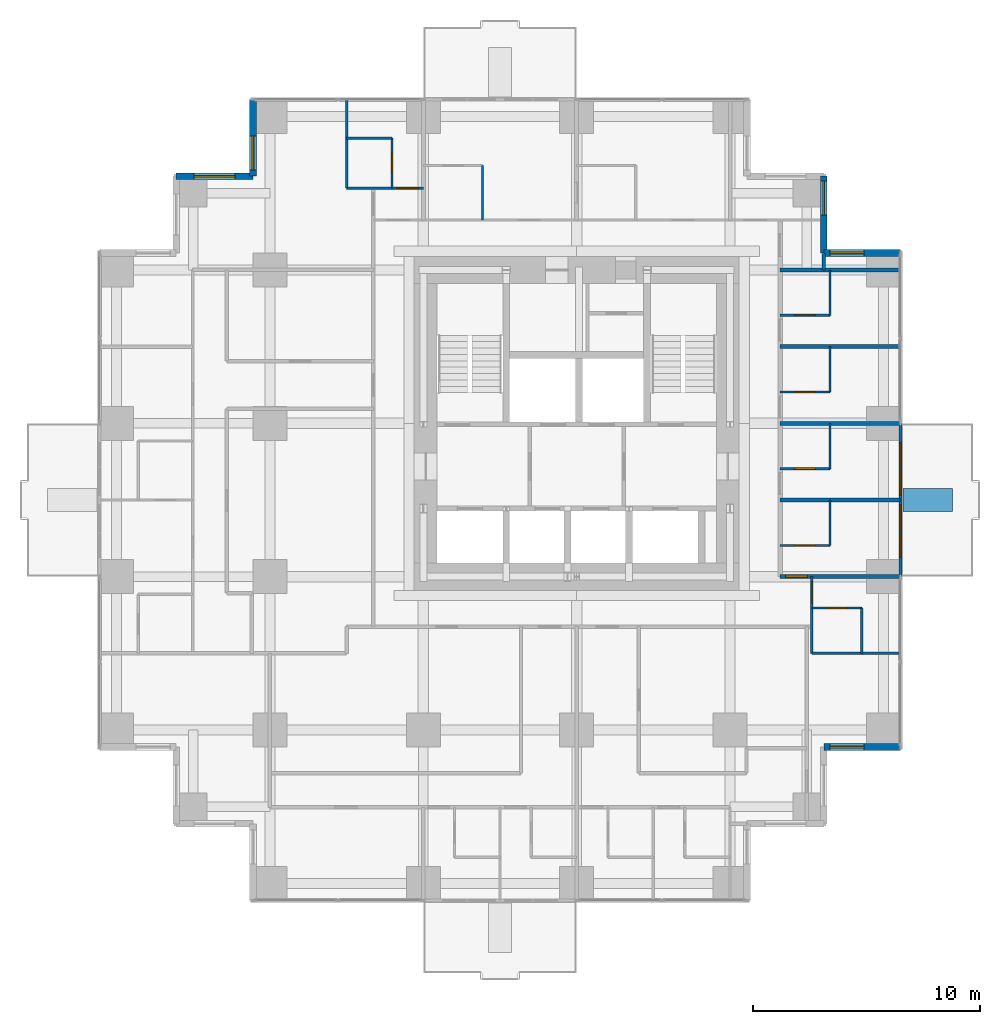
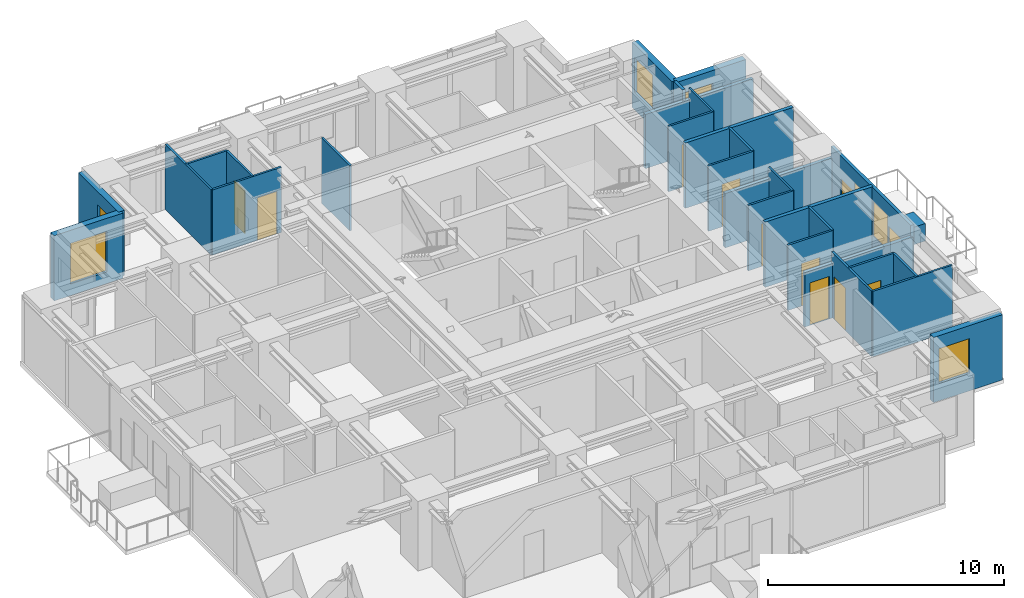
# One storey, part 8 of 10: 30 walls, 11 doors, 7 windows, 18 openings.
"""IFC4 building model written with IfcOpenShell, lengths in metres."""

import ifcopenshell
import ifcopenshell.guid

model = None  # the IFC model being written
_history = None  # IfcOwnerHistory: only IFC2X3 demands one
_inside = {}  # id of a spatial element -> (the spatial element, [elements in it])
_under = {}  # id of a project, library or spatial element -> (it, [spatial elements below it])
_declared = {}  # id of a project -> (the project, [libraries it declares])
_typed = {}  # id of a type object -> (the type object, [elements of that type])
_made_of = {}  # id of a material, layer set ... -> (it, [elements and type objects made of it])


def new_model(schema):
    """Start an empty IFC model of exactly this schema.

    Asked for "IFC4X3", IfcOpenShell would pick the latest addendum, in which some entities
    have other attributes; the version numbers below select the first issue.
    IFC2X3 requires an IfcOwnerHistory on every rooted entity: one is made here for all.
    """
    global model, _history
    if schema == "IFC4X3":
        model = ifcopenshell.file(schema_version=(4, 3, 0, 0))
    else:
        model = ifcopenshell.file(schema=schema)
    _inside.clear()
    _under.clear()
    _declared.clear()
    _typed.clear()
    _made_of.clear()
    _history = None
    if model.schema == "IFC2X3":
        org = make("IfcOrganization", Name="unknown")
        user = make(
            "IfcPersonAndOrganization",
            ThePerson=make("IfcPerson", FamilyName="unknown"),
            TheOrganization=org,
        )
        app = make(
            "IfcApplication",
            ApplicationDeveloper=org,
            Version="unknown",
            ApplicationFullName="unknown",
            ApplicationIdentifier="unknown",
        )
        _history = make(
            "IfcOwnerHistory",
            OwningUser=user,
            OwningApplication=app,
            ChangeAction="ADDED",
            CreationDate=0,
        )
    return model


def make(cls, **values):
    """One entity of the class cls with the attributes given. An attribute that is None is left unset."""
    return model.create_entity(
        cls, **{name: value for name, value in values.items() if value is not None}
    )


def rooted(cls, **values):
    """An entity with a GlobalId (a new one), such as an element, a storey or a relation."""
    return make(cls, GlobalId=ifcopenshell.guid.new(), OwnerHistory=_history, **values)


def si_unit(unit_type, name, prefix=None):
    """IfcSIUnit, for example si_unit("LENGTHUNIT", "METRE", prefix="MILLI")."""
    return make("IfcSIUnit", UnitType=unit_type, Prefix=prefix, Name=name)


def assignment(units):
    """IfcUnitAssignment: the units of a project."""
    return None if units is None else make("IfcUnitAssignment", Units=units)


def point(xyz):
    """IfcCartesianPoint."""
    return None if xyz is None else make("IfcCartesianPoint", Coordinates=xyz)


def direction(xyz):
    """IfcDirection."""
    return None if xyz is None else make("IfcDirection", DirectionRatios=xyz)


def frame(location, z_axis=None, x_axis=None):
    """IfcAxis2Placement3D, a coordinate frame: its origin and axes. An axis left out is left unset."""
    return make(
        "IfcAxis2Placement3D",
        Location=point(location),
        Axis=direction(z_axis),
        RefDirection=direction(x_axis),
    )


def frame_2d(location, x_axis=None):
    """IfcAxis2Placement2D, a coordinate frame in the plane: its origin and x axis."""
    return make(
        "IfcAxis2Placement2D", Location=point(location), RefDirection=direction(x_axis)
    )


def origin():
    """The frame at (0, 0, 0) with its axes left unset."""
    return frame((0.0, 0.0, 0.0))


def place(relative_to, where):
    """IfcLocalPlacement: puts the frame where relative to a parent placement (None: the world)."""
    return make(
        "IfcLocalPlacement", PlacementRelTo=relative_to, RelativePlacement=where
    )


def context(
    kind, dimensions, precision=None, world=None, true_north=None, identifier=None
):
    """IfcGeometricRepresentationContext, for example the 3D "Model" context."""
    return make(
        "IfcGeometricRepresentationContext",
        ContextIdentifier=identifier,
        ContextType=kind,
        CoordinateSpaceDimension=dimensions,
        Precision=precision,
        WorldCoordinateSystem=world,
        TrueNorth=true_north,
    )


def subcontext(parent, identifier, kind, view, scale=None):
    """IfcGeometricRepresentationSubContext, for example "Body" below "Model"."""
    return make(
        "IfcGeometricRepresentationSubContext",
        ContextIdentifier=identifier,
        ContextType=kind,
        ParentContext=parent,
        TargetScale=scale,
        TargetView=view,
    )


def project(units=None, contexts=None):
    """IfcProject with its units and contexts."""
    return rooted(
        "IfcProject",
        Name="project",
        RepresentationContexts=contexts,
        UnitsInContext=assignment(units),
    )


def spatial(cls, under=None, at=None, **own):
    """A site, building, storey or space (cls), placed at a placement, below another one or the project."""
    s = rooted(cls, ObjectPlacement=at, **own)
    if under is not None:
        _under.setdefault(under.id(), (under, []))[1].append(s)
    return s


def profile(cls, at=None, kind="AREA", **sizes):
    """A parametric profile (cls). Its sizes go by their IFC names, for example OverallWidth=200.0."""
    return make(cls, ProfileType=kind, Position=at, **sizes)


def rectangle(**sizes):
    """IfcRectangleProfileDef."""
    return profile("IfcRectangleProfileDef", **sizes)


def extrude(swept, where, along, depth):
    """IfcExtrudedAreaSolid: the profile swept, set in the frame where, extruded along a direction by depth."""
    return make(
        "IfcExtrudedAreaSolid",
        SweptArea=swept,
        Position=where,
        ExtrudedDirection=direction(along),
        Depth=depth,
    )


def shape(context_of_items, identifier, shape_type, items):
    """IfcShapeRepresentation: the items that make up one representation, for example the "Body"."""
    return make(
        "IfcShapeRepresentation",
        ContextOfItems=context_of_items,
        RepresentationIdentifier=identifier,
        RepresentationType=shape_type,
        Items=items,
    )


def material(Name=None, Category=None):
    """IfcMaterial."""
    return make("IfcMaterial", Name=Name, Category=Category)


def layer(
    of_material, thickness, ventilated=None, Name=None, Category=None, Priority=None
):
    """IfcMaterialLayer: one layer of a wall or slab, of a material (None: an air gap)."""
    return make(
        "IfcMaterialLayer",
        Material=of_material,
        LayerThickness=thickness,
        IsVentilated=ventilated,
        Name=Name,
        Category=Category,
        Priority=Priority,
    )


def layer_set(layers, Name=None):
    """IfcMaterialLayerSet."""
    return make("IfcMaterialLayerSet", MaterialLayers=layers, LayerSetName=Name)


def made_of(thing, what):
    """Note that an element or type object is made of a material, layer set ...; save() writes the relation."""
    if what is not None:
        _made_of.setdefault(what.id(), (what, []))[1].append(thing)
    return thing


def type_object(cls, material=None, **own):
    """A type object (cls), such as IfcWallType, which elements share."""
    return made_of(rooted(cls, **own), material)


def element(
    cls,
    number,
    at=None,
    inside=None,
    cuts=None,
    type_object=None,
    material=None,
    context=None,
    identifier="Body",
    shape_type=None,
    held_by="IfcProductDefinitionShape",
    body=None,
    shapes=None,
    **own,
):
    """One element of the class cls, such as IfcWall. Its Tag is "e" and its number.

    at: its placement. inside: the storey or other place that contains it. cuts: it is an
    opening in that element (IfcRelVoidsElement). A single representation is given by context,
    identifier, shape_type and body (its items); several are given by shapes. held_by: the class
    of the entity that holds the representations. save() writes the other relations.
    """
    e = rooted(cls, Tag="e%d" % number, ObjectPlacement=at, **own)
    if body is not None:
        shapes = [shape(context, identifier, shape_type, body)]
    if shapes is not None:
        e.Representation = make(held_by, Representations=shapes)
    if inside is not None:
        _inside.setdefault(inside.id(), (inside, []))[1].append(e)
    if cuts is not None:
        rooted(
            "IfcRelVoidsElement", RelatingBuildingElement=cuts, RelatedOpeningElement=e
        )
    if type_object is not None:
        _typed.setdefault(type_object.id(), (type_object, []))[1].append(e)
    return made_of(e, material)


def fill(opening, filler):
    """IfcRelFillsElement: the door or window that sits in an opening."""
    return rooted(
        "IfcRelFillsElement",
        RelatingOpeningElement=opening,
        RelatedBuildingElement=filler,
    )


def aggregate(whole, parts):
    """IfcRelAggregates: a whole, such as a stair, and the parts it consists of."""
    return rooted("IfcRelAggregates", RelatingObject=whole, RelatedObjects=parts)


def save(model, path):
    """Write the relations noted so far, then the file.

    IfcRelAggregates (storeys below a building ...), IfcRelContainedInSpatialStructure (elements
    in a storey), IfcRelDefinesByType, IfcRelAssociatesMaterial and IfcRelDeclares: one each for
    every whole, place, type object, material and project.
    """
    for whole, parts in _under.values():
        aggregate(whole, parts)
    for where, things in _inside.values():
        rooted(
            "IfcRelContainedInSpatialStructure",
            RelatedElements=things,
            RelatingStructure=where,
        )
    for kind, things in _typed.values():
        rooted("IfcRelDefinesByType", RelatedObjects=things, RelatingType=kind)
    for what, things in _made_of.values():
        rooted("IfcRelAssociatesMaterial", RelatedObjects=things, RelatingMaterial=what)
    for by, libraries in _declared.values():
        rooted("IfcRelDeclares", RelatingContext=by, RelatedDefinitions=libraries)
    model.write(path)


model = new_model("IFC4")

# Units and contexts
model_context = context("Model", 3, precision=1e-05, world=origin(), true_north=direction((0.0, 1.0)))
body_context = subcontext(model_context, "Body", "Model", "MODEL_VIEW")
ifc_project = project(units=[si_unit("LENGTHUNIT", "METRE"), si_unit("AREAUNIT", "SQUARE_METRE"), si_unit("VOLUMEUNIT", "CUBIC_METRE"), si_unit("PLANEANGLEUNIT", "RADIAN"), si_unit("MASSUNIT", "GRAM", prefix="KILO")], contexts=[model_context])

# Site, building, storey
site_placement = place(None, origin())
site = spatial("IfcSite", under=ifc_project, at=site_placement, CompositionType="ELEMENT")
building_placement = place(site_placement, origin())
building = spatial("IfcBuilding", under=site, at=building_placement, Name="Nyansa Garden Tower", CompositionType="ELEMENT")
storey_placement = place(building_placement, frame((0.0, 0.0, 163.800048828125)))
storey = spatial("IfcBuildingStorey", under=building, at=storey_placement, Name="L44", CompositionType="ELEMENT", Elevation=163.800048828125)

# Wall, opening, door
ifc_material_1 = material(Name="Dense blockwork, plastered both sides, 55 dB", Category="masonry")
ifc_layer_1 = layer(ifc_material_1, 0.175048828125)
ifc_layer_set_1 = layer_set([ifc_layer_1], Name="Acoustic party wall PW175")
wall_type_1 = type_object("IfcWallType", Name="Acoustic party wall PW175", PredefinedType="PARTITIONING", material=ifc_layer_set_1)
wall_1_placement = place(storey_placement, frame((29.199951171875, 13.5, 0.0), z_axis=(0.0, 0.0, 1.0), x_axis=(1.0, 0.0, 0.0)))
wall_1 = element("IfcWall", 1, at=wall_1_placement, inside=storey, type_object=wall_type_1, Name="Party wall", PredefinedType="PARTITIONING", context=body_context, shape_type="SweptSolid", body=[
    extrude(rectangle(XDim=5.283935546875, YDim=0.175048828125, at=frame_2d((2.64208984375, 0.0))), origin(), (0.0, 0.0, 1.0), 2.805908203125),
])
opening_1_placement = place(wall_1_placement, frame((0.25, 0.0, 0.0)))
opening_1 = element("IfcOpeningElement", 2, at=opening_1_placement, cuts=wall_1, Name="Opening D14", PredefinedType="OPENING", context=body_context, shape_type="SweptSolid", body=[
    extrude(rectangle(XDim=0.949951171875, YDim=2.199951171875, at=frame_2d((0.47509765625, 1.10009765625))), frame((0.0, 0.097412109375, 0.0), z_axis=(0.0, -1.0, 0.0), x_axis=(1.0, 0.0, 0.0)), (0.0, 0.0, 1.0), 0.195068359375),
])
ifc_material_2 = material(Name="Timber flush door, 60 minute fire resisting, self-closing", Category="wood")
door_type_1 = type_object("IfcDoorType", Name="Studio entrance door D14 950x2200", OperationType="SINGLE_SWING_LEFT", PredefinedType="DOOR", material=ifc_material_2)
door_1_placement = place(opening_1_placement, origin())
door_1 = element("IfcDoor", 3, at=door_1_placement, inside=storey, type_object=door_type_1, Name="Door L44-033", OperationType="SINGLE_SWING_LEFT", OverallHeight=2.199951171875, OverallWidth=0.949951171875, PredefinedType="DOOR", context=body_context, shape_type="SweptSolid", body=[
    extrude(rectangle(XDim=0.949951171875, YDim=2.199951171875, at=frame_2d((0.47509765625, 1.10009765625))), frame((0.0, 0.02490234375, 0.0), z_axis=(0.0, -1.0, 0.0), x_axis=(1.0, 0.0, 0.0)), (0.0, 0.0, 1.0), 0.050048828125),
])
fill(opening_1, door_1)

# Walls
wall_2_placement = place(storey_placement, frame((29.199951171875, 16.875, 0.0), z_axis=(0.0, 0.0, 1.0), x_axis=(1.0, 0.0, 0.0)))
element("IfcWall", 4, at=wall_2_placement, inside=storey, type_object=wall_type_1, Name="Party wall", PredefinedType="PARTITIONING", context=body_context, shape_type="SweptSolid", body=[
    extrude(rectangle(XDim=5.283935546875, YDim=0.175048828125, at=frame_2d((2.64208984375, 0.0))), origin(), (0.0, 0.0, 1.0), 3.375),
])
wall_3_placement = place(storey_placement, frame((29.199951171875, 20.25, 0.0), z_axis=(0.0, 0.0, 1.0), x_axis=(1.0, 0.0, 0.0)))
element("IfcWall", 5, at=wall_3_placement, inside=storey, type_object=wall_type_1, Name="Party wall", PredefinedType="PARTITIONING", context=body_context, shape_type="SweptSolid", body=[
    extrude(rectangle(XDim=5.283935546875, YDim=0.175048828125, at=frame_2d((2.64208984375, 0.0))), origin(), (0.0, 0.0, 1.0), 2.805908203125),
])
wall_4_placement = place(storey_placement, frame((29.199951171875, 23.625, 0.0), z_axis=(0.0, 0.0, 1.0), x_axis=(1.0, 0.0, 0.0)))
element("IfcWall", 6, at=wall_4_placement, inside=storey, type_object=wall_type_1, Name="Party wall", PredefinedType="PARTITIONING", context=body_context, shape_type="SweptSolid", body=[
    extrude(rectangle(XDim=5.283935546875, YDim=0.175048828125, at=frame_2d((2.64208984375, 0.0))), origin(), (0.0, 0.0, 1.0), 3.375),
])
wall_5_placement = place(storey_placement, frame((29.199951171875, 27.0, 0.0), z_axis=(0.0, 0.0, 1.0), x_axis=(1.0, 0.0, 0.0)))
element("IfcWall", 7, at=wall_5_placement, inside=storey, type_object=wall_type_1, Name="Party wall", PredefinedType="PARTITIONING", context=body_context, shape_type="SweptSolid", body=[
    extrude(rectangle(XDim=5.283935546875, YDim=0.175048828125, at=frame_2d((2.64208984375, 0.0))), origin(), (0.0, 0.0, 1.0), 2.805908203125),
])

# Wall, openings, doors, windows
ifc_material_3 = material(Name="Black aluminium framed glazed screen", Category="aluminium")
ifc_layer_2 = layer(ifc_material_3, 0.14990234375)
ifc_layer_set_2 = layer_set([ifc_layer_2], Name="Balcony screen wall BW150")
wall_type_2 = type_object("IfcWallType", Name="Balcony screen wall BW150", PredefinedType="SOLIDWALL", material=ifc_layer_set_2)
wall_6_placement = place(storey_placement, frame((34.5, 20.25, 0.0), z_axis=(0.0, 0.0, 1.0), x_axis=(0.0, -1.0, 0.0)))
wall_6 = element("IfcWall", 8, at=wall_6_placement, inside=storey, type_object=wall_type_2, Name="Glazed screen wall L44 E", PredefinedType="SOLIDWALL", context=body_context, shape_type="SweptSolid", body=[
    extrude(rectangle(XDim=6.75, YDim=0.14990234375, at=frame_2d((3.375, 0.0))), origin(), (0.0, 0.0, 1.0), 3.375),
])
opening_2_placement = place(wall_6_placement, frame((0.862548828125, 0.0, 0.0)))
opening_2 = element("IfcOpeningElement", 9, at=opening_2_placement, cuts=wall_6, Name="Opening D20", PredefinedType="OPENING", context=body_context, shape_type="SweptSolid", body=[
    extrude(rectangle(XDim=1.0, YDim=2.199951171875, at=frame_2d((0.5, 1.10009765625))), frame((0.0, 0.0849609375, 0.0), z_axis=(0.0, -1.0, 0.0), x_axis=(1.0, 0.0, 0.0)), (0.0, 0.0, 1.0), 0.169921875),
])
opening_3_placement = place(wall_6_placement, frame((1.97509765625, 0.0, 0.89990234375)))
opening_3 = element("IfcOpeningElement", 10, at=opening_3_placement, cuts=wall_6, Name="Opening W6", PredefinedType="OPENING", context=body_context, shape_type="SweptSolid", body=[
    extrude(rectangle(XDim=1.199951171875, YDim=1.800048828125, at=frame_2d((0.60009765625, 0.89990234375))), frame((0.0, 0.0849609375, 0.0), z_axis=(0.0, -1.0, 0.0), x_axis=(1.0, 0.0, 0.0)), (0.0, 0.0, 1.0), 0.169921875),
])
opening_4_placement = place(wall_6_placement, frame((4.887451171875, 0.0, 0.0)))
opening_4 = element("IfcOpeningElement", 11, at=opening_4_placement, cuts=wall_6, Name="Opening D20", PredefinedType="OPENING", context=body_context, shape_type="SweptSolid", body=[
    extrude(rectangle(XDim=1.0, YDim=2.199951171875, at=frame_2d((0.5, 1.10009765625))), frame((0.0, 0.0849609375, 0.0), z_axis=(0.0, -1.0, 0.0), x_axis=(1.0, 0.0, 0.0)), (0.0, 0.0, 1.0), 0.169921875),
])
opening_5_placement = place(wall_6_placement, frame((3.574951171875, 0.0, 0.89990234375)))
opening_5 = element("IfcOpeningElement", 12, at=opening_5_placement, cuts=wall_6, Name="Opening W6", PredefinedType="OPENING", context=body_context, shape_type="SweptSolid", body=[
    extrude(rectangle(XDim=1.199951171875, YDim=1.800048828125, at=frame_2d((0.60009765625, 0.89990234375))), frame((0.0, 0.0849609375, 0.0), z_axis=(0.0, -1.0, 0.0), x_axis=(1.0, 0.0, 0.0)), (0.0, 0.0, 1.0), 0.169921875),
])
ifc_material_4 = material(Name="Black aluminium framed glazed door", Category="aluminium")
door_type_2 = type_object("IfcDoorType", Name="Balcony door D20 1000x2200", OperationType="NOTDEFINED", PredefinedType="DOOR", material=ifc_material_4)
door_2_placement = place(opening_2_placement, origin())
door_2 = element("IfcDoor", 13, at=door_2_placement, inside=storey, type_object=door_type_2, Name="Balcony door L44", OperationType="SINGLE_SWING_LEFT", OverallHeight=2.199951171875, OverallWidth=1.0, PredefinedType="DOOR", context=body_context, shape_type="SweptSolid", body=[
    extrude(rectangle(XDim=1.0, YDim=2.199951171875, at=frame_2d((0.5, 1.10009765625))), frame((0.0, 0.02490234375, 0.0), z_axis=(0.0, -1.0, 0.0), x_axis=(1.0, 0.0, 0.0)), (0.0, 0.0, 1.0), 0.050048828125),
])
fill(opening_2, door_2)
door_3_placement = place(opening_4_placement, origin())
door_3 = element("IfcDoor", 14, at=door_3_placement, inside=storey, type_object=door_type_2, Name="Balcony door L44", OperationType="SINGLE_SWING_RIGHT", OverallHeight=2.199951171875, OverallWidth=1.0, PredefinedType="DOOR", context=body_context, shape_type="SweptSolid", body=[
    extrude(rectangle(XDim=1.0, YDim=2.199951171875, at=frame_2d((0.5, 1.10009765625))), frame((0.0, 0.02490234375, 0.0), z_axis=(0.0, -1.0, 0.0), x_axis=(1.0, 0.0, 0.0)), (0.0, 0.0, 1.0), 0.050048828125),
])
fill(opening_4, door_3)
ifc_material_5 = material(Name="Black aluminium frame, dark tinted double glazing", Category="aluminium")
window_type_1 = type_object("IfcWindowType", Name="Balcony window W6 1200x1800", PartitioningType="SINGLE_PANEL", PredefinedType="WINDOW", material=ifc_material_5)
window_1_placement = place(opening_3_placement, origin())
window_1 = element("IfcWindow", 15, at=window_1_placement, inside=storey, type_object=window_type_1, Name="Window L44", OverallHeight=1.800048828125, OverallWidth=1.199951171875, PartitioningType="SINGLE_PANEL", PredefinedType="WINDOW", context=body_context, shape_type="SweptSolid", body=[
    extrude(rectangle(XDim=1.199951171875, YDim=1.800048828125, at=frame_2d((0.60009765625, 0.89990234375))), frame((0.0, 0.030029296875, 0.0), z_axis=(0.0, -1.0, 0.0), x_axis=(1.0, 0.0, 0.0)), (0.0, 0.0, 1.0), 0.06005859375),
])
fill(opening_3, window_1)
window_2_placement = place(opening_5_placement, origin())
window_2 = element("IfcWindow", 16, at=window_2_placement, inside=storey, type_object=window_type_1, Name="Window L44", OverallHeight=1.800048828125, OverallWidth=1.199951171875, PartitioningType="SINGLE_PANEL", PredefinedType="WINDOW", context=body_context, shape_type="SweptSolid", body=[
    extrude(rectangle(XDim=1.199951171875, YDim=1.800048828125, at=frame_2d((0.60009765625, 0.89990234375))), frame((0.0, 0.030029296875, 0.0), z_axis=(0.0, -1.0, 0.0), x_axis=(1.0, 0.0, 0.0)), (0.0, 0.0, 1.0), 0.06005859375),
])
fill(opening_5, window_2)

# Wall
ifc_material_6 = material(Name="Blockwork, plastered both sides", Category="masonry")
ifc_layer_3 = layer(ifc_material_6, 0.14990234375)
ifc_layer_set_3 = layer_set([ifc_layer_3], Name="Partition PW150")
wall_type_3 = type_object("IfcWallType", Name="Partition PW150", PredefinedType="PARTITIONING", material=ifc_layer_set_3)
wall_7_placement = place(storey_placement, frame((31.125, 27.0, 0.0), z_axis=(0.0, 0.0, 1.0), x_axis=(0.0, 1.0, 0.0)))
element("IfcWall", 17, at=wall_7_placement, inside=storey, type_object=wall_type_3, Name="Partition", PredefinedType="PARTITIONING", context=body_context, shape_type="SweptSolid", body=[
    extrude(rectangle(XDim=0.73388671875, YDim=0.14990234375, at=frame_2d((0.366943359375, 0.0))), origin(), (0.0, 0.0, 1.0), 3.375),
])

# Wall, opening, window
ifc_material_7 = material(Name="Turquoise glazed tile on concrete blockwork", Category="masonry")
ifc_layer_4 = layer(ifc_material_7, 0.300048828125)
ifc_layer_set_4 = layer_set([ifc_layer_4], Name="Tiled corner wall TW300")
wall_type_4 = type_object("IfcWallType", Name="Tiled corner wall TW300", PredefinedType="SOLIDWALL", material=ifc_layer_set_4)
wall_8_placement = place(storey_placement, frame((34.5, 27.75, 0.0), z_axis=(0.0, 0.0, 1.0), x_axis=(-1.0, 0.0, 0.0)))
wall_8 = element("IfcWall", 18, at=wall_8_placement, inside=storey, type_object=wall_type_4, Name="Tiled corner wall L44", PredefinedType="SOLIDWALL", context=body_context, shape_type="SweptSolid", body=[
    extrude(rectangle(XDim=3.375, YDim=0.300048828125, at=frame_2d((1.6875, 0.0))), origin(), (0.0, 0.0, 1.0), 3.375),
])
opening_6_placement = place(wall_8_placement, frame((1.607421875, 0.0, 0.89990234375)))
opening_6 = element("IfcOpeningElement", 19, at=opening_6_placement, cuts=wall_8, Name="Opening W1", PredefinedType="OPENING", context=body_context, shape_type="SweptSolid", body=[
    extrude(rectangle(XDim=1.5, YDim=1.800048828125, at=frame_2d((0.75, 0.89990234375))), frame((0.0, 0.159912109375, 0.0), z_axis=(0.0, -1.0, 0.0), x_axis=(1.0, 0.0, 0.0)), (0.0, 0.0, 1.0), 0.320068359375),
])
ifc_material_8 = material(Name="Black aluminium frame, dark tinted double glazing", Category="aluminium")
window_type_2 = type_object("IfcWindowType", Name="Window W1 1500x1800", PartitioningType="SINGLE_PANEL", PredefinedType="WINDOW", material=ifc_material_8)
window_3_placement = place(opening_6_placement, origin())
window_3 = element("IfcWindow", 20, at=window_3_placement, inside=storey, type_object=window_type_2, Name="Corner window L44", OverallHeight=1.800048828125, OverallWidth=1.5, PartitioningType="SINGLE_PANEL", PredefinedType="WINDOW", context=body_context, shape_type="SweptSolid", body=[
    extrude(rectangle(XDim=1.5, YDim=1.800048828125, at=frame_2d((0.75, 0.89990234375))), frame((0.0, 0.030029296875, 0.0), z_axis=(0.0, -1.0, 0.0), x_axis=(1.0, 0.0, 0.0)), (0.0, 0.0, 1.0), 0.06005859375),
])
fill(opening_6, window_3)

wall_9_placement = place(storey_placement, frame((31.125, 27.75, 0.0), z_axis=(0.0, 0.0, 1.0), x_axis=(0.0, 1.0, 0.0)))
wall_9 = element("IfcWall", 21, at=wall_9_placement, inside=storey, type_object=wall_type_4, Name="Tiled corner wall L44", PredefinedType="SOLIDWALL", context=body_context, shape_type="SweptSolid", body=[
    extrude(rectangle(XDim=3.375, YDim=0.300048828125, at=frame_2d((1.6875, 0.0))), origin(), (0.0, 0.0, 1.0), 3.375),
])
opening_7_placement = place(wall_9_placement, frame((1.66259765625, 0.0, 0.89990234375)))
opening_7 = element("IfcOpeningElement", 22, at=opening_7_placement, cuts=wall_9, Name="Opening W1", PredefinedType="OPENING", context=body_context, shape_type="SweptSolid", body=[
    extrude(rectangle(XDim=1.5, YDim=1.800048828125, at=frame_2d((0.75, 0.89990234375))), frame((0.0, 0.159912109375, 0.0), z_axis=(0.0, -1.0, 0.0), x_axis=(1.0, 0.0, 0.0)), (0.0, 0.0, 1.0), 0.320068359375),
])
window_4_placement = place(opening_7_placement, origin())
window_4 = element("IfcWindow", 23, at=window_4_placement, inside=storey, type_object=window_type_2, Name="Corner window L44", OverallHeight=1.800048828125, OverallWidth=1.5, PartitioningType="SINGLE_PANEL", PredefinedType="WINDOW", context=body_context, shape_type="SweptSolid", body=[
    extrude(rectangle(XDim=1.5, YDim=1.800048828125, at=frame_2d((0.75, 0.89990234375))), frame((0.0, 0.030029296875, 0.0), z_axis=(0.0, -1.0, 0.0), x_axis=(1.0, 0.0, 0.0)), (0.0, 0.0, 1.0), 0.06005859375),
])
fill(opening_7, window_4)

wall_10_placement = place(storey_placement, frame((6.0, 34.5, 0.0), z_axis=(0.0, 0.0, 1.0), x_axis=(0.0, -1.0, 0.0)))
wall_10 = element("IfcWall", 24, at=wall_10_placement, inside=storey, type_object=wall_type_4, Name="Tiled corner wall L44", PredefinedType="SOLIDWALL", context=body_context, shape_type="SweptSolid", body=[
    extrude(rectangle(XDim=3.375, YDim=0.300048828125, at=frame_2d((1.6875, 0.0))), origin(), (0.0, 0.0, 1.0), 3.375),
])
opening_8_placement = place(wall_10_placement, frame((1.607421875, 0.0, 0.89990234375)))
opening_8 = element("IfcOpeningElement", 25, at=opening_8_placement, cuts=wall_10, Name="Opening W1", PredefinedType="OPENING", context=body_context, shape_type="SweptSolid", body=[
    extrude(rectangle(XDim=1.5, YDim=1.800048828125, at=frame_2d((0.75, 0.89990234375))), frame((0.0, 0.159912109375, 0.0), z_axis=(0.0, -1.0, 0.0), x_axis=(1.0, 0.0, 0.0)), (0.0, 0.0, 1.0), 0.320068359375),
])
window_5_placement = place(opening_8_placement, origin())
window_5 = element("IfcWindow", 26, at=window_5_placement, inside=storey, type_object=window_type_2, Name="Corner window L44", OverallHeight=1.800048828125, OverallWidth=1.5, PartitioningType="SINGLE_PANEL", PredefinedType="WINDOW", context=body_context, shape_type="SweptSolid", body=[
    extrude(rectangle(XDim=1.5, YDim=1.800048828125, at=frame_2d((0.75, 0.89990234375))), frame((0.0, 0.030029296875, 0.0), z_axis=(0.0, -1.0, 0.0), x_axis=(1.0, 0.0, 0.0)), (0.0, 0.0, 1.0), 0.06005859375),
])
fill(opening_8, window_5)

wall_11_placement = place(storey_placement, frame((6.0, 31.125, 0.0), z_axis=(0.0, 0.0, 1.0), x_axis=(-1.0, 0.0, 0.0)))
wall_11 = element("IfcWall", 27, at=wall_11_placement, inside=storey, type_object=wall_type_4, Name="Tiled corner wall L44", PredefinedType="SOLIDWALL", context=body_context, shape_type="SweptSolid", body=[
    extrude(rectangle(XDim=3.375, YDim=0.300048828125, at=frame_2d((1.6875, 0.0))), origin(), (0.0, 0.0, 1.0), 3.375),
])
opening_9_placement = place(wall_11_placement, frame((0.78759765625, 0.0, 0.60009765625)))
opening_9 = element("IfcOpeningElement", 28, at=opening_9_placement, cuts=wall_11, Name="Opening W2", PredefinedType="OPENING", context=body_context, shape_type="SweptSolid", body=[
    extrude(rectangle(XDim=1.800048828125, YDim=2.10009765625, at=frame_2d((0.89990234375, 1.050048828125))), frame((0.0, 0.159912109375, 0.0), z_axis=(0.0, -1.0, 0.0), x_axis=(1.0, 0.0, 0.0)), (0.0, 0.0, 1.0), 0.320068359375),
])
ifc_material_9 = material(Name="Black aluminium frame, dark tinted double glazing", Category="aluminium")
window_type_3 = type_object("IfcWindowType", Name="Window W2 1800x2100", PartitioningType="SINGLE_PANEL", PredefinedType="WINDOW", material=ifc_material_9)
window_6_placement = place(opening_9_placement, origin())
window_6 = element("IfcWindow", 29, at=window_6_placement, inside=storey, type_object=window_type_3, Name="Corner window L44", OverallHeight=2.10009765625, OverallWidth=1.800048828125, PartitioningType="SINGLE_PANEL", PredefinedType="WINDOW", context=body_context, shape_type="SweptSolid", body=[
    extrude(rectangle(XDim=1.800048828125, YDim=2.10009765625, at=frame_2d((0.89990234375, 1.050048828125))), frame((0.0, 0.030029296875, 0.0), z_axis=(0.0, -1.0, 0.0), x_axis=(1.0, 0.0, 0.0)), (0.0, 0.0, 1.0), 0.06005859375),
])
fill(opening_9, window_6)

wall_12_placement = place(storey_placement, frame((31.125, 6.0, 0.0), z_axis=(0.0, 0.0, 1.0), x_axis=(1.0, 0.0, 0.0)))
wall_12 = element("IfcWall", 30, at=wall_12_placement, inside=storey, type_object=wall_type_4, Name="Tiled corner wall L44", PredefinedType="SOLIDWALL", context=body_context, shape_type="SweptSolid", body=[
    extrude(rectangle(XDim=3.375, YDim=0.300048828125, at=frame_2d((1.6875, 0.0))), origin(), (0.0, 0.0, 1.0), 3.375),
])
opening_10_placement = place(wall_12_placement, frame((0.267578125, 0.0, 0.89990234375)))
opening_10 = element("IfcOpeningElement", 31, at=opening_10_placement, cuts=wall_12, Name="Opening W1", PredefinedType="OPENING", context=body_context, shape_type="SweptSolid", body=[
    extrude(rectangle(XDim=1.5, YDim=1.800048828125, at=frame_2d((0.75, 0.89990234375))), frame((0.0, 0.159912109375, 0.0), z_axis=(0.0, -1.0, 0.0), x_axis=(1.0, 0.0, 0.0)), (0.0, 0.0, 1.0), 0.320068359375),
])
window_7_placement = place(opening_10_placement, origin())
window_7 = element("IfcWindow", 32, at=window_7_placement, inside=storey, type_object=window_type_2, Name="Corner window L44", OverallHeight=1.800048828125, OverallWidth=1.5, PartitioningType="SINGLE_PANEL", PredefinedType="WINDOW", context=body_context, shape_type="SweptSolid", body=[
    extrude(rectangle(XDim=1.5, YDim=1.800048828125, at=frame_2d((0.75, 0.89990234375))), frame((0.0, 0.030029296875, 0.0), z_axis=(0.0, -1.0, 0.0), x_axis=(1.0, 0.0, 0.0)), (0.0, 0.0, 1.0), 0.06005859375),
])
fill(opening_10, window_7)

# Walls
ifc_material_10 = material(Name="Concrete C40/50 planter, waterproofed", Category="concrete")
ifc_layer_5 = layer(ifc_material_10, 1.0)
ifc_layer_set_5 = layer_set([ifc_layer_5], Name="Tree planter TP1")
wall_type_5 = type_object("IfcWallType", Name="Tree planter TP1", PredefinedType="USERDEFINED", material=ifc_layer_set_5)
wall_13_placement = place(storey_placement, frame((34.60009765625, 16.875, 0.0), z_axis=(0.0, 0.0, 1.0), x_axis=(1.0, 0.0, 0.0)))
element("IfcWall", 33, at=wall_13_placement, inside=storey, type_object=wall_type_5, Name="Tree planter L44", ObjectType="TREE PLANTER", PredefinedType="USERDEFINED", context=body_context, shape_type="SweptSolid", body=[
    extrude(rectangle(XDim=2.199951171875, YDim=1.0, at=frame_2d((1.10009765625, 0.0))), origin(), (0.0, 0.0, 1.0), 0.89990234375),
])
ifc_material_11 = material(Name="Moisture resistant board on steel studs, tiled", Category="steel")
ifc_layer_6 = layer(ifc_material_11, 0.10009765625)
ifc_layer_set_6 = layer_set([ifc_layer_6], Name="Wet wall PW100")
wall_type_6 = type_object("IfcWallType", Name="Wet wall PW100", PredefinedType="PARTITIONING", material=ifc_layer_set_6)
wall_14_placement = place(storey_placement, frame((10.125, 30.60009765625, 0.0), z_axis=(0.0, 0.0, 1.0), x_axis=(0.0, 1.0, 0.0)))
element("IfcWall", 34, at=wall_14_placement, inside=storey, type_object=wall_type_6, Name="Wet wall", PredefinedType="PARTITIONING", context=body_context, shape_type="SweptSolid", body=[
    extrude(rectangle(XDim=3.8837890625, YDim=0.10009765625, at=frame_2d((1.94189453125, 0.0))), origin(), (0.0, 0.0, 1.0), 3.375),
])

# Wall, opening, door
wall_15_placement = place(storey_placement, frame((10.125, 30.60009765625, 0.0), z_axis=(0.0, 0.0, 1.0), x_axis=(1.0, 0.0, 0.0)))
wall_15 = element("IfcWall", 35, at=wall_15_placement, inside=storey, type_object=wall_type_6, Name="Wet wall", PredefinedType="PARTITIONING", context=body_context, shape_type="SweptSolid", body=[
    extrude(rectangle(XDim=3.375, YDim=0.10009765625, at=frame_2d((1.6875, 0.0))), origin(), (0.0, 0.0, 1.0), 3.375),
])
opening_11_placement = place(wall_15_placement, frame((2.199951171875, 0.0, 0.0)))
opening_11 = element("IfcOpeningElement", 36, at=opening_11_placement, cuts=wall_15, Name="Opening D14", PredefinedType="OPENING", context=body_context, shape_type="SweptSolid", body=[
    extrude(rectangle(XDim=0.949951171875, YDim=2.199951171875, at=frame_2d((0.47509765625, 1.10009765625))), frame((0.0, 0.06005859375, 0.0), z_axis=(0.0, -1.0, 0.0), x_axis=(1.0, 0.0, 0.0)), (0.0, 0.0, 1.0), 0.1201171875),
])
door_4_placement = place(opening_11_placement, origin())
door_4 = element("IfcDoor", 37, at=door_4_placement, inside=storey, type_object=door_type_1, Name="Door L44-047", OperationType="SINGLE_SWING_LEFT", OverallHeight=2.199951171875, OverallWidth=0.949951171875, PredefinedType="DOOR", context=body_context, shape_type="SweptSolid", body=[
    extrude(rectangle(XDim=0.949951171875, YDim=2.199951171875, at=frame_2d((0.47509765625, 1.10009765625))), frame((0.0, 0.02490234375, 0.0), z_axis=(0.0, -1.0, 0.0), x_axis=(1.0, 0.0, 0.0)), (0.0, 0.0, 1.0), 0.050048828125),
])
fill(opening_11, door_4)

# Wall
wall_16_placement = place(storey_placement, frame((10.125, 32.800048828125, 0.0), z_axis=(0.0, 0.0, 1.0), x_axis=(1.0, 0.0, 0.0)))
element("IfcWall", 38, at=wall_16_placement, inside=storey, type_object=wall_type_6, Name="Wet wall", PredefinedType="PARTITIONING", context=body_context, shape_type="SweptSolid", body=[
    extrude(rectangle(XDim=2.0, YDim=0.10009765625, at=frame_2d((1.0, 0.0))), origin(), (0.0, 0.0, 1.0), 3.375),
])

# Wall, opening, door
wall_17_placement = place(storey_placement, frame((12.125, 30.60009765625, 0.0), z_axis=(0.0, 0.0, 1.0), x_axis=(0.0, 1.0, 0.0)))
wall_17 = element("IfcWall", 39, at=wall_17_placement, inside=storey, type_object=wall_type_6, Name="Wet wall", PredefinedType="PARTITIONING", context=body_context, shape_type="SweptSolid", body=[
    extrude(rectangle(XDim=2.199951171875, YDim=0.10009765625, at=frame_2d((1.10009765625, 0.0))), origin(), (0.0, 0.0, 1.0), 3.375),
])
opening_12_placement = place(wall_17_placement, frame((0.64990234375, 0.0, 0.0)))
opening_12 = element("IfcOpeningElement", 40, at=opening_12_placement, cuts=wall_17, Name="Opening D02", PredefinedType="OPENING", context=body_context, shape_type="SweptSolid", body=[
    extrude(rectangle(XDim=0.89990234375, YDim=2.199951171875, at=frame_2d((0.449951171875, 1.10009765625))), frame((0.0, 0.06005859375, 0.0), z_axis=(0.0, -1.0, 0.0), x_axis=(1.0, 0.0, 0.0)), (0.0, 0.0, 1.0), 0.1201171875),
])
ifc_material_12 = material(Name="Timber flush door", Category="wood")
door_type_3 = type_object("IfcDoorType", Name="En-suite door D02 900x2200", OperationType="SINGLE_SWING_RIGHT", PredefinedType="DOOR", material=ifc_material_12)
door_5_placement = place(opening_12_placement, origin())
door_5 = element("IfcDoor", 41, at=door_5_placement, inside=storey, type_object=door_type_3, Name="Door L44-048", OperationType="SINGLE_SWING_RIGHT", OverallHeight=2.199951171875, OverallWidth=0.89990234375, PredefinedType="DOOR", context=body_context, shape_type="SweptSolid", body=[
    extrude(rectangle(XDim=0.89990234375, YDim=2.199951171875, at=frame_2d((0.449951171875, 1.10009765625))), frame((0.0, 0.02490234375, 0.0), z_axis=(0.0, -1.0, 0.0), x_axis=(1.0, 0.0, 0.0)), (0.0, 0.0, 1.0), 0.050048828125),
])
fill(opening_12, door_5)

# Wall
wall_18_placement = place(storey_placement, frame((16.10009765625, 29.199951171875, 0.0), z_axis=(0.0, 0.0, 1.0), x_axis=(0.0, 1.0, 0.0)))
element("IfcWall", 42, at=wall_18_placement, inside=storey, type_object=wall_type_6, Name="Wet wall", PredefinedType="PARTITIONING", context=body_context, shape_type="SweptSolid", body=[
    extrude(rectangle(XDim=2.400146484375, YDim=0.10009765625, at=frame_2d((1.2001953125, 0.0))), origin(), (0.0, 0.0, 1.0), 3.375),
])

# Wall, opening, door
wall_19_placement = place(storey_placement, frame((29.199951171875, 14.875, 0.0), z_axis=(0.0, 0.0, 1.0), x_axis=(1.0, 0.0, 0.0)))
wall_19 = element("IfcWall", 43, at=wall_19_placement, inside=storey, type_object=wall_type_6, Name="Wet wall", PredefinedType="PARTITIONING", context=body_context, shape_type="SweptSolid", body=[
    extrude(rectangle(XDim=2.199951171875, YDim=0.10009765625, at=frame_2d((1.10009765625, 0.0))), origin(), (0.0, 0.0, 1.0), 3.375),
])
opening_13_placement = place(wall_19_placement, frame((0.64990234375, 0.0, 0.0)))
opening_13 = element("IfcOpeningElement", 44, at=opening_13_placement, cuts=wall_19, Name="Opening D02", PredefinedType="OPENING", context=body_context, shape_type="SweptSolid", body=[
    extrude(rectangle(XDim=0.89990234375, YDim=2.199951171875, at=frame_2d((0.449951171875, 1.10009765625))), frame((0.0, 0.06005859375, 0.0), z_axis=(0.0, -1.0, 0.0), x_axis=(1.0, 0.0, 0.0)), (0.0, 0.0, 1.0), 0.1201171875),
])
door_6_placement = place(opening_13_placement, origin())
door_6 = element("IfcDoor", 45, at=door_6_placement, inside=storey, type_object=door_type_3, Name="Door L44-034", OperationType="SINGLE_SWING_RIGHT", OverallHeight=2.199951171875, OverallWidth=0.89990234375, PredefinedType="DOOR", context=body_context, shape_type="SweptSolid", body=[
    extrude(rectangle(XDim=0.89990234375, YDim=2.199951171875, at=frame_2d((0.449951171875, 1.10009765625))), frame((0.0, 0.02490234375, 0.0), z_axis=(0.0, -1.0, 0.0), x_axis=(1.0, 0.0, 0.0)), (0.0, 0.0, 1.0), 0.050048828125),
])
fill(opening_13, door_6)

wall_20_placement = place(storey_placement, frame((29.199951171875, 18.25, 0.0), z_axis=(0.0, 0.0, 1.0), x_axis=(1.0, 0.0, 0.0)))
wall_20 = element("IfcWall", 46, at=wall_20_placement, inside=storey, type_object=wall_type_6, Name="Wet wall", PredefinedType="PARTITIONING", context=body_context, shape_type="SweptSolid", body=[
    extrude(rectangle(XDim=2.199951171875, YDim=0.10009765625, at=frame_2d((1.10009765625, 0.0))), origin(), (0.0, 0.0, 1.0), 3.375),
])
opening_14_placement = place(wall_20_placement, frame((0.64990234375, 0.0, 0.0)))
opening_14 = element("IfcOpeningElement", 47, at=opening_14_placement, cuts=wall_20, Name="Opening D02", PredefinedType="OPENING", context=body_context, shape_type="SweptSolid", body=[
    extrude(rectangle(XDim=0.89990234375, YDim=2.199951171875, at=frame_2d((0.449951171875, 1.10009765625))), frame((0.0, 0.06005859375, 0.0), z_axis=(0.0, -1.0, 0.0), x_axis=(1.0, 0.0, 0.0)), (0.0, 0.0, 1.0), 0.1201171875),
])
door_7_placement = place(opening_14_placement, origin())
door_7 = element("IfcDoor", 48, at=door_7_placement, inside=storey, type_object=door_type_3, Name="Door L44-036", OperationType="SINGLE_SWING_RIGHT", OverallHeight=2.199951171875, OverallWidth=0.89990234375, PredefinedType="DOOR", context=body_context, shape_type="SweptSolid", body=[
    extrude(rectangle(XDim=0.89990234375, YDim=2.199951171875, at=frame_2d((0.449951171875, 1.10009765625))), frame((0.0, 0.02490234375, 0.0), z_axis=(0.0, -1.0, 0.0), x_axis=(1.0, 0.0, 0.0)), (0.0, 0.0, 1.0), 0.050048828125),
])
fill(opening_14, door_7)

wall_21_placement = place(storey_placement, frame((29.199951171875, 21.625, 0.0), z_axis=(0.0, 0.0, 1.0), x_axis=(1.0, 0.0, 0.0)))
wall_21 = element("IfcWall", 49, at=wall_21_placement, inside=storey, type_object=wall_type_6, Name="Wet wall", PredefinedType="PARTITIONING", context=body_context, shape_type="SweptSolid", body=[
    extrude(rectangle(XDim=2.199951171875, YDim=0.10009765625, at=frame_2d((1.10009765625, 0.0))), origin(), (0.0, 0.0, 1.0), 3.375),
])
opening_15_placement = place(wall_21_placement, frame((0.64990234375, 0.0, 0.0)))
opening_15 = element("IfcOpeningElement", 50, at=opening_15_placement, cuts=wall_21, Name="Opening D02", PredefinedType="OPENING", context=body_context, shape_type="SweptSolid", body=[
    extrude(rectangle(XDim=0.89990234375, YDim=2.199951171875, at=frame_2d((0.449951171875, 1.10009765625))), frame((0.0, 0.06005859375, 0.0), z_axis=(0.0, -1.0, 0.0), x_axis=(1.0, 0.0, 0.0)), (0.0, 0.0, 1.0), 0.1201171875),
])
door_8_placement = place(opening_15_placement, origin())
door_8 = element("IfcDoor", 51, at=door_8_placement, inside=storey, type_object=door_type_3, Name="Door L44-038", OperationType="SINGLE_SWING_RIGHT", OverallHeight=2.199951171875, OverallWidth=0.89990234375, PredefinedType="DOOR", context=body_context, shape_type="SweptSolid", body=[
    extrude(rectangle(XDim=0.89990234375, YDim=2.199951171875, at=frame_2d((0.449951171875, 1.10009765625))), frame((0.0, 0.02490234375, 0.0), z_axis=(0.0, -1.0, 0.0), x_axis=(1.0, 0.0, 0.0)), (0.0, 0.0, 1.0), 0.050048828125),
])
fill(opening_15, door_8)

wall_22_placement = place(storey_placement, frame((29.199951171875, 25.0, 0.0), z_axis=(0.0, 0.0, 1.0), x_axis=(1.0, 0.0, 0.0)))
wall_22 = element("IfcWall", 52, at=wall_22_placement, inside=storey, type_object=wall_type_6, Name="Wet wall", PredefinedType="PARTITIONING", context=body_context, shape_type="SweptSolid", body=[
    extrude(rectangle(XDim=2.199951171875, YDim=0.10009765625, at=frame_2d((1.10009765625, 0.0))), origin(), (0.0, 0.0, 1.0), 3.375),
])
opening_16_placement = place(wall_22_placement, frame((0.64990234375, 0.0, 0.0)))
opening_16 = element("IfcOpeningElement", 53, at=opening_16_placement, cuts=wall_22, Name="Opening D02", PredefinedType="OPENING", context=body_context, shape_type="SweptSolid", body=[
    extrude(rectangle(XDim=0.89990234375, YDim=2.199951171875, at=frame_2d((0.449951171875, 1.10009765625))), frame((0.0, 0.06005859375, 0.0), z_axis=(0.0, -1.0, 0.0), x_axis=(1.0, 0.0, 0.0)), (0.0, 0.0, 1.0), 0.1201171875),
])
door_9_placement = place(opening_16_placement, origin())
door_9 = element("IfcDoor", 54, at=door_9_placement, inside=storey, type_object=door_type_3, Name="Door L44-040", OperationType="SINGLE_SWING_RIGHT", OverallHeight=2.199951171875, OverallWidth=0.89990234375, PredefinedType="DOOR", context=body_context, shape_type="SweptSolid", body=[
    extrude(rectangle(XDim=0.89990234375, YDim=2.199951171875, at=frame_2d((0.449951171875, 1.10009765625))), frame((0.0, 0.02490234375, 0.0), z_axis=(0.0, -1.0, 0.0), x_axis=(1.0, 0.0, 0.0)), (0.0, 0.0, 1.0), 0.050048828125),
])
fill(opening_16, door_9)

wall_23_placement = place(storey_placement, frame((30.60009765625, 10.125, 0.0), z_axis=(0.0, 0.0, 1.0), x_axis=(0.0, 1.0, 0.0)))
wall_23 = element("IfcWall", 55, at=wall_23_placement, inside=storey, type_object=wall_type_6, Name="Wet wall", PredefinedType="PARTITIONING", context=body_context, shape_type="SweptSolid", body=[
    extrude(rectangle(XDim=3.375, YDim=0.10009765625, at=frame_2d((1.6875, 0.0))), origin(), (0.0, 0.0, 1.0), 3.375),
])
opening_17_placement = place(wall_23_placement, frame((2.199951171875, 0.0, 0.0)))
opening_17 = element("IfcOpeningElement", 56, at=opening_17_placement, cuts=wall_23, Name="Opening D14", PredefinedType="OPENING", context=body_context, shape_type="SweptSolid", body=[
    extrude(rectangle(XDim=0.949951171875, YDim=2.199951171875, at=frame_2d((0.47509765625, 1.10009765625))), frame((0.0, 0.06005859375, 0.0), z_axis=(0.0, -1.0, 0.0), x_axis=(1.0, 0.0, 0.0)), (0.0, 0.0, 1.0), 0.1201171875),
])
door_10_placement = place(opening_17_placement, origin())
door_10 = element("IfcDoor", 57, at=door_10_placement, inside=storey, type_object=door_type_1, Name="Door L44-031", OperationType="SINGLE_SWING_LEFT", OverallHeight=2.199951171875, OverallWidth=0.949951171875, PredefinedType="DOOR", context=body_context, shape_type="SweptSolid", body=[
    extrude(rectangle(XDim=0.949951171875, YDim=2.199951171875, at=frame_2d((0.47509765625, 1.10009765625))), frame((0.0, 0.02490234375, 0.0), z_axis=(0.0, -1.0, 0.0), x_axis=(1.0, 0.0, 0.0)), (0.0, 0.0, 1.0), 0.050048828125),
])
fill(opening_17, door_10)

# Wall
wall_24_placement = place(storey_placement, frame((30.60009765625, 10.125, 0.0), z_axis=(0.0, 0.0, 1.0), x_axis=(1.0, 0.0, 0.0)))
element("IfcWall", 58, at=wall_24_placement, inside=storey, type_object=wall_type_6, Name="Wet wall", PredefinedType="PARTITIONING", context=body_context, shape_type="SweptSolid", body=[
    extrude(rectangle(XDim=3.8837890625, YDim=0.10009765625, at=frame_2d((1.94189453125, 0.0))), origin(), (0.0, 0.0, 1.0), 3.375),
])

# Wall, opening, door
wall_25_placement = place(storey_placement, frame((30.60009765625, 12.125, 0.0), z_axis=(0.0, 0.0, 1.0), x_axis=(1.0, 0.0, 0.0)))
wall_25 = element("IfcWall", 59, at=wall_25_placement, inside=storey, type_object=wall_type_6, Name="Wet wall", PredefinedType="PARTITIONING", context=body_context, shape_type="SweptSolid", body=[
    extrude(rectangle(XDim=2.199951171875, YDim=0.10009765625, at=frame_2d((1.10009765625, 0.0))), origin(), (0.0, 0.0, 1.0), 3.375),
])
opening_18_placement = place(wall_25_placement, frame((0.64990234375, 0.0, 0.0)))
opening_18 = element("IfcOpeningElement", 60, at=opening_18_placement, cuts=wall_25, Name="Opening D02", PredefinedType="OPENING", context=body_context, shape_type="SweptSolid", body=[
    extrude(rectangle(XDim=0.89990234375, YDim=2.199951171875, at=frame_2d((0.449951171875, 1.10009765625))), frame((0.0, 0.06005859375, 0.0), z_axis=(0.0, -1.0, 0.0), x_axis=(1.0, 0.0, 0.0)), (0.0, 0.0, 1.0), 0.1201171875),
])
door_11_placement = place(opening_18_placement, origin())
door_11 = element("IfcDoor", 61, at=door_11_placement, inside=storey, type_object=door_type_3, Name="Door L44-032", OperationType="SINGLE_SWING_RIGHT", OverallHeight=2.199951171875, OverallWidth=0.89990234375, PredefinedType="DOOR", context=body_context, shape_type="SweptSolid", body=[
    extrude(rectangle(XDim=0.89990234375, YDim=2.199951171875, at=frame_2d((0.449951171875, 1.10009765625))), frame((0.0, 0.02490234375, 0.0), z_axis=(0.0, -1.0, 0.0), x_axis=(1.0, 0.0, 0.0)), (0.0, 0.0, 1.0), 0.050048828125),
])
fill(opening_18, door_11)

# Walls
for number, where, z_axis, x_axis, name in (
    (62, (31.39990234375, 14.875, 0.0), (0.0, 0.0, 1.0), (0.0, 1.0, 0.0), "Wet wall"),
    (63, (31.39990234375, 18.25, 0.0), (0.0, 0.0, 1.0), (0.0, 1.0, 0.0), "Wet wall"),
    (64, (31.39990234375, 21.625, 0.0), (0.0, 0.0, 1.0), (0.0, 1.0, 0.0), "Wet wall"),
    (65, (31.39990234375, 25.0, 0.0), (0.0, 0.0, 1.0), (0.0, 1.0, 0.0), "Wet wall"),
    (66, (32.800048828125, 10.125, 0.0), (0.0, 0.0, 1.0), (0.0, 1.0, 0.0), "Wet wall"),
):
    element("IfcWall", number, at=place(storey_placement, frame(where, z_axis=z_axis, x_axis=x_axis)), inside=storey, type_object=wall_type_6, Name=name, PredefinedType="PARTITIONING", context=body_context, shape_type="SweptSolid", body=[
        extrude(rectangle(XDim=2.0, YDim=0.10009765625, at=frame_2d((1.0, 0.0))), origin(), (0.0, 0.0, 1.0), 3.375),
    ])

save(model, "model.ifc")
